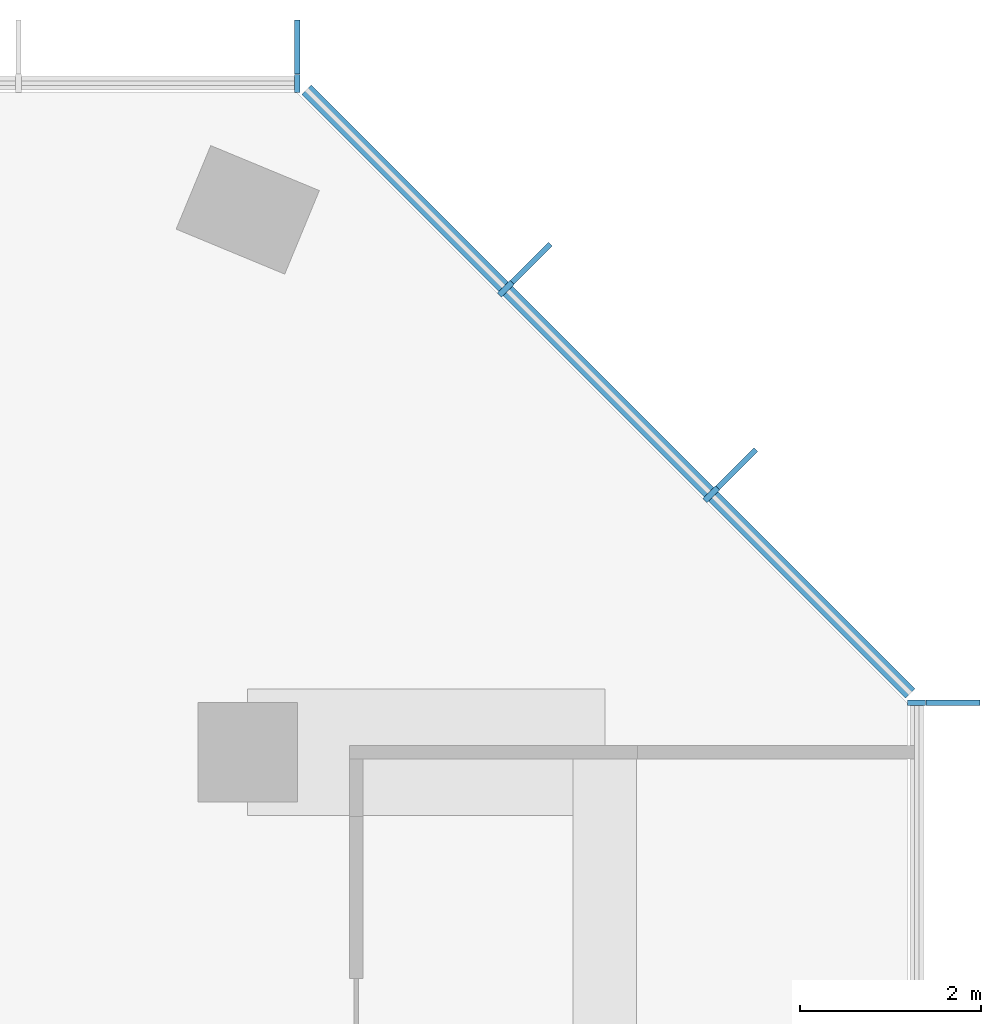
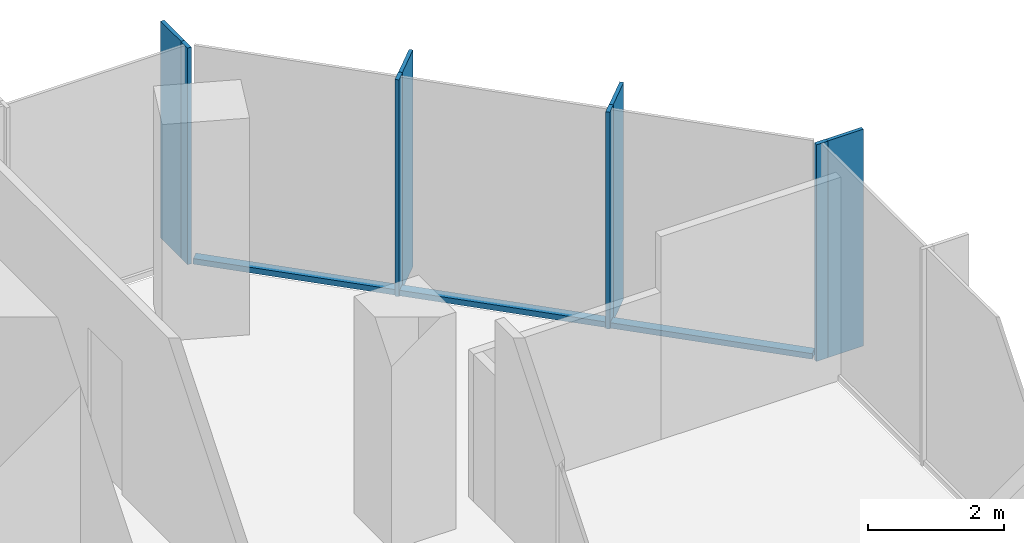
# One storey, part 6 of 11: 11 members, 3 elements without a shape of their own.
"""IFC4 building model written with IfcOpenShell, lengths in metres."""

from ifc_helpers import new_model, si_unit, direction, frame, origin, origin_2d, place, context, subcontext, project, spatial, rectangle, extrude, material, layer, layer_set, material_profile, profile_set, type_object, element, aggregate, save


model = new_model("IFC4")

# Units and contexts
model_context = context("Model", 3, precision=1e-05, world=origin(), true_north=direction((0.0, 1.0)))
body_context = subcontext(model_context, "Body", "Model", "MODEL_VIEW")
ifc_project = project(units=[si_unit("LENGTHUNIT", "METRE"), si_unit("AREAUNIT", "SQUARE_METRE"), si_unit("VOLUMEUNIT", "CUBIC_METRE"), si_unit("PLANEANGLEUNIT", "RADIAN"), si_unit("MASSUNIT", "GRAM", prefix="KILO")], contexts=[model_context])

# Site, building, storey
site_placement = place(None, origin())
site = spatial("IfcSite", under=ifc_project, at=site_placement, CompositionType="ELEMENT")
building_placement = place(site_placement, origin())
building = spatial("IfcBuilding", under=site, at=building_placement, Name="Highveld Stack Headquarters", CompositionType="ELEMENT")
storey_placement = place(building_placement, frame((0.0, 0.0, 287.89990234375)))
storey = spatial("IfcBuildingStorey", under=building, at=storey_placement, Name="L71", CompositionType="ELEMENT", Elevation=287.89990234375)

# Curtain wall, member
ifc_material_1 = material(Name="Aluminium bronze anodised", Category="aluminium")
ifc_layer = layer(ifc_material_1, 0.199951171875)
ifc_layer_set = layer_set([ifc_layer], Name="Aluminium bronze anodised")
curtain_wall_type = type_object("IfcCurtainWallType", Name="CW5 EXECUTIVE UNITISED CURTAIN WALL", PredefinedType="NOTDEFINED", material=ifc_layer_set)
curtain_wall_1_placement = place(storey_placement, origin())
curtain_wall_1 = element("IfcCurtainWall", 1, at=curtain_wall_1_placement, inside=storey, type_object=curtain_wall_type, Name="Curtain wall CW5 L71 E", PredefinedType="NOTDEFINED")
ifc_material_2 = material(Name="Aluminium bronze anodised", Category="aluminium")
ifc_material_profile_1 = material_profile(ifc_material_2, rectangle(XDim=0.60009765625, YDim=0.06005859375, at=origin_2d()), Name="FIN 600x60")
ifc_profile_set_1 = profile_set([ifc_material_profile_1], Name="Aluminium bronze anodised")
member_type_1 = type_object("IfcMemberType", Name="CW5 BRONZE FIN 600x60", PredefinedType="USERDEFINED", material=ifc_profile_set_1)
member_1_placement = place(storey_placement, frame((31.800048828125, 12.54736328125, 0.0), z_axis=(0.0, 0.0, 1.0), x_axis=(-1.0, 0.0, 0.0)))
member_1 = element("IfcMember", 2, at=member_1_placement, type_object=member_type_1, Name="CW5 fin L71 9", ObjectType="FIN", PredefinedType="USERDEFINED", context=body_context, shape_type="SweptSolid", body=[
    extrude(rectangle(XDim=0.60009765625, YDim=0.06005859375, at=origin_2d()), origin(), (0.0, 0.0, 1.0), 3.900146484375),
])

# Curtain wall, members
curtain_wall_2_placement = place(storey_placement, origin())
curtain_wall_2 = element("IfcCurtainWall", 3, at=curtain_wall_2_placement, inside=storey, type_object=curtain_wall_type, Name="Curtain wall CW5 L71 NE", PredefinedType="NOTDEFINED")
member_2_placement = place(storey_placement, frame((29.409423828125, 15.135986328125, 0.0), z_axis=(0.0, 0.0, 1.0), x_axis=(-0.707106781187, -0.707106781187, 0.0)))
member_2 = element("IfcMember", 4, at=member_2_placement, type_object=member_type_1, Name="CW5 fin L71 1", ObjectType="FIN", PredefinedType="USERDEFINED", context=body_context, shape_type="SweptSolid", body=[
    extrude(rectangle(XDim=0.60009765625, YDim=0.06005859375, at=origin_2d()), origin(), (0.0, 0.0, 1.0), 3.900146484375),
])
member_3_placement = place(storey_placement, frame((27.135986328125, 17.409423828125, 0.0), z_axis=(0.0, 0.0, 1.0), x_axis=(-0.707106781187, -0.707106781187, 0.0)))
member_3 = element("IfcMember", 5, at=member_3_placement, type_object=member_type_1, Name="CW5 fin L71 2", ObjectType="FIN", PredefinedType="USERDEFINED", context=body_context, shape_type="SweptSolid", body=[
    extrude(rectangle(XDim=0.60009765625, YDim=0.06005859375, at=origin_2d()), origin(), (0.0, 0.0, 1.0), 3.900146484375),
])

# Curtain wall, member
curtain_wall_3_placement = place(storey_placement, origin())
curtain_wall_3 = element("IfcCurtainWall", 6, at=curtain_wall_3_placement, inside=storey, type_object=curtain_wall_type, Name="Curtain wall CW5 L71 N", PredefinedType="NOTDEFINED")
member_4_placement = place(storey_placement, frame((24.54736328125, 19.800048828125, 0.0), z_axis=(0.0, 0.0, 1.0), x_axis=(0.0, -1.0, 0.0)))
member_4 = element("IfcMember", 7, at=member_4_placement, type_object=member_type_1, Name="CW5 fin L71 1", ObjectType="FIN", PredefinedType="USERDEFINED", context=body_context, shape_type="SweptSolid", body=[
    extrude(rectangle(XDim=0.60009765625, YDim=0.06005859375, at=origin_2d()), origin(), (0.0, 0.0, 1.0), 3.900146484375),
])

# Member
ifc_material_3 = material(Name="Aluminium bronze anodised", Category="aluminium")
ifc_material_profile_2 = material_profile(ifc_material_3, rectangle(XDim=0.199951171875, YDim=0.06494140625, at=origin_2d()), Name="CW5 MULLION 65x200")
ifc_profile_set_2 = profile_set([ifc_material_profile_2], Name="Aluminium bronze anodised")
member_type_2 = type_object("IfcMemberType", Name="CW5 MULLION 65x200", PredefinedType="MULLION", material=ifc_profile_set_2)
member_5_placement = place(storey_placement, frame((31.39990234375, 12.54736328125, 0.0), z_axis=(0.0, 0.0, 1.0), x_axis=(-1.0, 0.0, 0.0)))
member_5 = element("IfcMember", 8, at=member_5_placement, type_object=member_type_2, Name="CW5 mullion L71 9", PredefinedType="MULLION", context=body_context, shape_type="SweptSolid", body=[
    extrude(rectangle(XDim=0.199951171875, YDim=0.06494140625, at=origin_2d()), origin(), (0.0, 0.0, 1.0), 3.900146484375),
])

aggregate(curtain_wall_1, [member_5, member_1])

member_6_placement = place(storey_placement, frame((29.126708984375, 14.853271484375, 0.0), z_axis=(0.0, 0.0, 1.0), x_axis=(-0.707106781187, -0.707106781187, 0.0)))
member_6 = element("IfcMember", 9, at=member_6_placement, type_object=member_type_2, Name="CW5 mullion L71 1", PredefinedType="MULLION", context=body_context, shape_type="SweptSolid", body=[
    extrude(rectangle(XDim=0.199951171875, YDim=0.06494140625, at=origin_2d()), origin(), (0.0, 0.0, 1.0), 3.900146484375),
])

member_7_placement = place(storey_placement, frame((26.853271484375, 17.126708984375, 0.0), z_axis=(0.0, 0.0, 1.0), x_axis=(-0.707106781187, -0.707106781187, 0.0)))
member_7 = element("IfcMember", 10, at=member_7_placement, type_object=member_type_2, Name="CW5 mullion L71 2", PredefinedType="MULLION", context=body_context, shape_type="SweptSolid", body=[
    extrude(rectangle(XDim=0.199951171875, YDim=0.06494140625, at=origin_2d()), origin(), (0.0, 0.0, 1.0), 3.900146484375),
])

member_8_placement = place(storey_placement, frame((24.54736328125, 19.39990234375, 0.0), z_axis=(0.0, 0.0, 1.0), x_axis=(0.0, -1.0, 0.0)))
member_8 = element("IfcMember", 11, at=member_8_placement, type_object=member_type_2, Name="CW5 mullion L71 1", PredefinedType="MULLION", context=body_context, shape_type="SweptSolid", body=[
    extrude(rectangle(XDim=0.199951171875, YDim=0.06494140625, at=origin_2d()), origin(), (0.0, 0.0, 1.0), 3.900146484375),
])

aggregate(curtain_wall_3, [member_8, member_4])

ifc_material_4 = material(Name="Aluminium bronze anodised", Category="aluminium")
ifc_material_profile_3 = material_profile(ifc_material_4, rectangle(XDim=0.14990234375, YDim=0.10009765625, at=origin_2d()), Name="CW5 TRANSOM 150x100")
ifc_profile_set_3 = profile_set([ifc_material_profile_3], Name="Aluminium bronze anodised")
member_type_3 = type_object("IfcMemberType", Name="CW5 STACK TRANSOM 150x100", PredefinedType="USERDEFINED", material=ifc_profile_set_3)
member_9_placement = place(storey_placement, frame((31.329345703125, 12.650634765625, 0.050048828125), z_axis=(-0.707106781187, 0.707106781187, 0.0), x_axis=(-0.707106781187, -0.707106781187, 0.0)))
member_9 = element("IfcMember", 12, at=member_9_placement, type_object=member_type_3, Name="CW5 transom L71 1.1", ObjectType="TRANSOM", PredefinedType="USERDEFINED", context=body_context, shape_type="SweptSolid", body=[
    extrude(rectangle(XDim=0.14990234375, YDim=0.10009765625, at=origin_2d()), origin(), (0.0, 0.0, 1.0), 3.08251953125),
])

member_10_placement = place(storey_placement, frame((29.103759765625, 14.876220703125, 0.050048828125), z_axis=(-0.707106781187, 0.707106781187, 0.0), x_axis=(-0.707106781187, -0.707106781187, 0.0)))
member_10 = element("IfcMember", 13, at=member_10_placement, type_object=member_type_3, Name="CW5 transom L71 2.1", ObjectType="TRANSOM", PredefinedType="USERDEFINED", context=body_context, shape_type="SweptSolid", body=[
    extrude(rectangle(XDim=0.14990234375, YDim=0.10009765625, at=origin_2d()), origin(), (0.0, 0.0, 1.0), 3.150146484375),
])

member_11_placement = place(storey_placement, frame((26.830322265625, 17.149658203125, 0.050048828125), z_axis=(-0.707106781187, 0.707106781187, 0.0), x_axis=(-0.707106781187, -0.707106781187, 0.0)))
member_11 = element("IfcMember", 14, at=member_11_placement, type_object=member_type_3, Name="CW5 transom L71 3.1", ObjectType="TRANSOM", PredefinedType="USERDEFINED", context=body_context, shape_type="SweptSolid", body=[
    extrude(rectangle(XDim=0.14990234375, YDim=0.10009765625, at=origin_2d()), origin(), (0.0, 0.0, 1.0), 3.08251953125),
])

aggregate(curtain_wall_2, [member_6, member_2, member_7, member_3, member_9, member_10, member_11])

save(model, "model.ifc")
